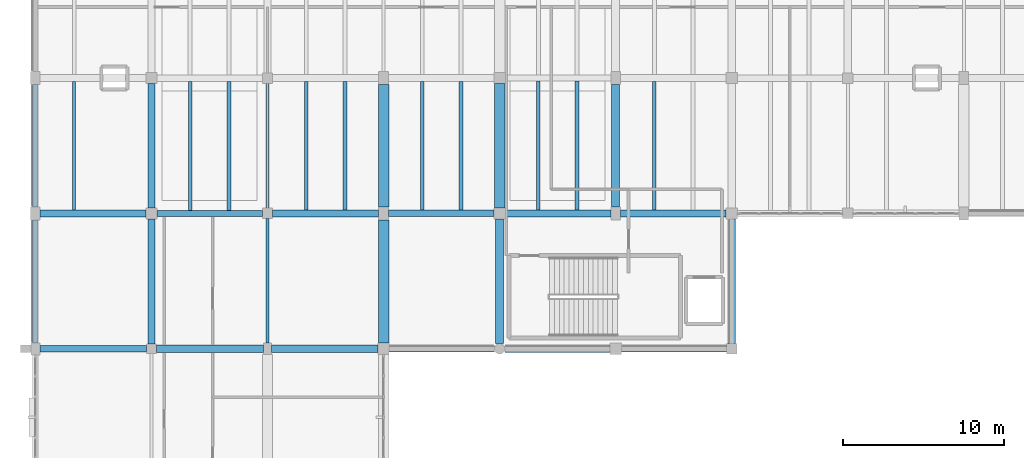
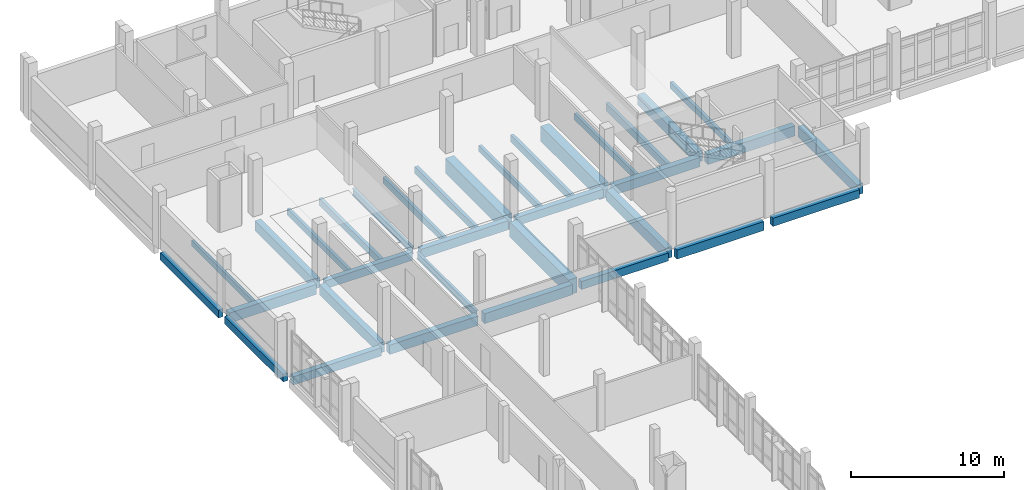
# One storey, part 24 of 57: 34 beams.
"""IFC4 building model written with IfcOpenShell, lengths in metres."""

from ifc_helpers import new_model, si_unit, direction, frame, origin, origin_2d, place, context, subcontext, project, spatial, rectangle, i_section, extrude, material, material_profile, profile_set, type_object, element, save


model = new_model("IFC4")

# Units and contexts
model_context = context("Model", 3, precision=1e-05, world=origin(), true_north=direction((0.0, 1.0)))
body_context = subcontext(model_context, "Body", "Model", "MODEL_VIEW")
ifc_project = project(units=[si_unit("LENGTHUNIT", "METRE"), si_unit("AREAUNIT", "SQUARE_METRE"), si_unit("VOLUMEUNIT", "CUBIC_METRE"), si_unit("PLANEANGLEUNIT", "RADIAN"), si_unit("MASSUNIT", "GRAM", prefix="KILO")], contexts=[model_context])

# Site, building, storey
site_placement = place(None, origin())
site = spatial("IfcSite", under=ifc_project, at=site_placement, CompositionType="ELEMENT")
building_placement = place(site_placement, origin())
building = spatial("IfcBuilding", under=site, at=building_placement, Name="Kalluvel Institute of Natural Sciences", CompositionType="ELEMENT")
storey_placement = place(building_placement, frame((0.0, 0.0, 23.39990234375)))
storey = spatial("IfcBuildingStorey", under=building, at=storey_placement, Name="L05", CompositionType="ELEMENT", Elevation=23.39990234375)

# Beams
ifc_material_1 = material(Name="Steel E350 Grade 350", Category="steel")
ifc_material_profile_1 = material_profile(ifc_material_1, i_section(OverallWidth=0.18994140625, OverallDepth=0.550048828125, WebThickness=0.01123046875, FlangeThickness=0.019287109375, FilletRadius=0.01806640625, at=origin_2d()), Name="ISMB 550")
ifc_profile_set_1 = profile_set([ifc_material_profile_1], Name="Steel E350 Grade 350")
beam_type_1 = type_object("IfcBeamType", Name="BM-ISMB550", PredefinedType="BEAM", material=ifc_profile_set_1)
beam_1_placement = place(storey_placement, frame((28.39990234375, 94.75, -0.574951171875), z_axis=(0.0, 1.0, 0.0), x_axis=(-1.0, 0.0, 0.0)))
element("IfcBeam", 1, at=beam_1_placement, inside=storey, type_object=beam_type_1, Name="L05 girder GIR-L05-NS-X284-Y944", PredefinedType="BEAM", context=body_context, shape_type="SweptSolid", body=[
    extrude(i_section(OverallWidth=0.18994140625, OverallDepth=0.550048828125, WebThickness=0.01123046875, FlangeThickness=0.019287109375, FilletRadius=0.01806640625, at=origin_2d()), origin(), (0.0, 0.0, 1.0), 7.72509765625),
])
beam_2_placement = place(storey_placement, frame((28.39990234375, 103.125, -0.594970703125), z_axis=(0.0, 1.0, 0.0), x_axis=(-1.0, 0.0, 0.0)))
element("IfcBeam", 2, at=beam_2_placement, inside=storey, type_object=beam_type_1, Name="L05 girder GIR-L05-NS-X284-Y1028", PredefinedType="BEAM", context=body_context, shape_type="SweptSolid", body=[
    extrude(i_section(OverallWidth=0.18994140625, OverallDepth=0.550048828125, WebThickness=0.01123046875, FlangeThickness=0.019287109375, FilletRadius=0.01806640625, at=origin_2d()), origin(), (0.0, 0.0, 1.0), 7.75),
])
ifc_material_2 = material(Name="Concrete M40", Category="concrete")
ifc_material_profile_2 = material_profile(ifc_material_2, rectangle(XDim=0.3798828125, YDim=0.639892578125, at=origin_2d()), Name="RCB 380x640")
ifc_profile_set_2 = profile_set([ifc_material_profile_2], Name="Concrete M40")
beam_type_2 = type_object("IfcBeamType", Name="BM-RC380x640", PredefinedType="BEAM", material=ifc_profile_set_2)
beam_3_placement = place(storey_placement, frame((35.949951171875, 94.39990234375, -0.639892578125), z_axis=(1.0, 0.0, 0.0), x_axis=(0.0, 1.0, 0.0)))
element("IfcBeam", 3, at=beam_3_placement, inside=storey, type_object=beam_type_2, Name="L05 girder GIR-L05-EW-X356-Y944", PredefinedType="BEAM", context=body_context, shape_type="SweptSolid", body=[
    extrude(rectangle(XDim=0.3798828125, YDim=0.639892578125, at=origin_2d()), origin(), (0.0, 0.0, 1.0), 6.525146484375),
])
beam_4_placement = place(storey_placement, frame((21.550048828125, 102.800048828125, -0.639892578125), z_axis=(1.0, 0.0, 0.0), x_axis=(0.0, 1.0, 0.0)))
element("IfcBeam", 4, at=beam_4_placement, inside=storey, type_object=beam_type_2, Name="L05 girder GIR-L05-EW-X212-Y1028", PredefinedType="BEAM", context=body_context, shape_type="SweptSolid", body=[
    extrude(rectangle(XDim=0.3798828125, YDim=0.639892578125, at=origin_2d()), origin(), (0.0, 0.0, 1.0), 6.52490234375),
])
ifc_material_profile_3 = material_profile(ifc_material_2, rectangle(XDim=0.39990234375, YDim=0.64990234375, at=origin_2d()), Name="RCB 400x650")
ifc_profile_set_3 = profile_set([ifc_material_profile_3], Name="Concrete M40")
beam_type_3 = type_object("IfcBeamType", Name="BM-RC400x650", PredefinedType="BEAM", material=ifc_profile_set_3)
beam_5_placement = place(storey_placement, frame((14.27490234375, 94.39990234375, -0.625), z_axis=(1.0, 0.0, 0.0), x_axis=(0.0, 1.0, 0.0)))
element("IfcBeam", 5, at=beam_5_placement, inside=storey, type_object=beam_type_3, Name="L05 girder GIR-L05-EW-X140-Y944", PredefinedType="BEAM", context=body_context, shape_type="SweptSolid", body=[
    extrude(rectangle(XDim=0.39990234375, YDim=0.64990234375, at=origin_2d()), origin(), (0.0, 0.0, 1.0), 6.625),
])
beam_6_placement = place(storey_placement, frame((50.35009765625, 94.39990234375, -0.64501953125), z_axis=(1.0, 0.0, 0.0), x_axis=(0.0, 1.0, 0.0)))
element("IfcBeam", 6, at=beam_6_placement, inside=storey, type_object=beam_type_3, Name="L05 girder GIR-L05-EW-X500-Y944", PredefinedType="BEAM", context=body_context, shape_type="SweptSolid", body=[
    extrude(rectangle(XDim=0.39990234375, YDim=0.64990234375, at=origin_2d()), origin(), (0.0, 0.0, 1.0), 6.52490234375),
])
beam_7_placement = place(storey_placement, frame((35.89990234375, 102.800048828125, -0.64501953125), z_axis=(1.0, 0.0, 0.0), x_axis=(0.0, 1.0, 0.0)))
element("IfcBeam", 7, at=beam_7_placement, inside=storey, type_object=beam_type_3, Name="L05 girder GIR-L05-EW-X356-Y1028", PredefinedType="BEAM", context=body_context, shape_type="SweptSolid", body=[
    extrude(rectangle(XDim=0.39990234375, YDim=0.64990234375, at=origin_2d()), origin(), (0.0, 0.0, 1.0), 6.550048828125),
])
ifc_material_profile_4 = material_profile(ifc_material_2, rectangle(XDim=0.419921875, YDim=0.719970703125, at=origin_2d()), Name="RCB 420x720")
ifc_profile_set_4 = profile_set([ifc_material_profile_4], Name="Concrete M40")
beam_type_4 = type_object("IfcBeamType", Name="BM-RC420x720", PredefinedType="BEAM", material=ifc_profile_set_4)
beam_8_placement = place(storey_placement, frame((43.125, 94.39990234375, -0.679931640625), z_axis=(1.0, 0.0, 0.0), x_axis=(0.0, 1.0, 0.0)))
element("IfcBeam", 8, at=beam_8_placement, inside=storey, type_object=beam_type_4, Name="L05 girder GIR-L05-EW-X428-Y944", PredefinedType="BEAM", context=body_context, shape_type="SweptSolid", body=[
    extrude(rectangle(XDim=0.419921875, YDim=0.719970703125, at=origin_2d()), origin(), (0.0, 0.0, 1.0), 6.52490234375),
])
beam_9_placement = place(storey_placement, frame((28.72509765625, 102.800048828125, -0.679931640625), z_axis=(1.0, 0.0, 0.0), x_axis=(0.0, 1.0, 0.0)))
element("IfcBeam", 9, at=beam_9_placement, inside=storey, type_object=beam_type_4, Name="L05 girder GIR-L05-EW-X284-Y1028", PredefinedType="BEAM", context=body_context, shape_type="SweptSolid", body=[
    extrude(rectangle(XDim=0.419921875, YDim=0.719970703125, at=origin_2d()), origin(), (0.0, 0.0, 1.0), 6.574951171875),
])
ifc_material_profile_5 = material_profile(ifc_material_2, rectangle(XDim=0.449951171875, YDim=0.75, at=origin_2d()), Name="RCB 450x750")
ifc_profile_set_5 = profile_set([ifc_material_profile_5], Name="Concrete M40")
beam_type_5 = type_object("IfcBeamType", Name="BM-RC450x750", PredefinedType="BEAM", material=ifc_profile_set_5)
beam_10_placement = place(storey_placement, frame((21.5, 94.39990234375, -0.6748046875), z_axis=(1.0, 0.0, 0.0), x_axis=(0.0, 1.0, 0.0)))
element("IfcBeam", 10, at=beam_10_placement, inside=storey, type_object=beam_type_5, Name="L05 girder GIR-L05-EW-X212-Y944", PredefinedType="BEAM", context=body_context, shape_type="SweptSolid", body=[
    extrude(rectangle(XDim=0.449951171875, YDim=0.75, at=origin_2d()), origin(), (0.0, 0.0, 1.0), 6.64990234375),
])
beam_11_placement = place(storey_placement, frame((43.14990234375, 102.800048828125, -0.69482421875), z_axis=(1.0, 0.0, 0.0), x_axis=(0.0, 1.0, 0.0)))
element("IfcBeam", 11, at=beam_11_placement, inside=storey, type_object=beam_type_5, Name="L05 girder GIR-L05-EW-X428-Y1028", PredefinedType="BEAM", context=body_context, shape_type="SweptSolid", body=[
    extrude(rectangle(XDim=0.449951171875, YDim=0.75, at=origin_2d()), origin(), (0.0, 0.0, 1.0), 6.550048828125),
])
ifc_material_profile_6 = material_profile(ifc_material_2, rectangle(XDim=0.449951171875, YDim=0.800048828125, at=origin_2d()), Name="RCB 450x800")
ifc_profile_set_6 = profile_set([ifc_material_profile_6], Name="Concrete M40")
beam_type_6 = type_object("IfcBeamType", Name="BM-RC450x800", PredefinedType="BEAM", material=ifc_profile_set_6)
beam_12_placement = place(storey_placement, frame((28.64990234375, 94.39990234375, -0.699951171875), z_axis=(1.0, 0.0, 0.0), x_axis=(0.0, 1.0, 0.0)))
element("IfcBeam", 12, at=beam_12_placement, inside=storey, type_object=beam_type_6, Name="L05 girder GIR-L05-EW-X284-Y944", PredefinedType="BEAM", context=body_context, shape_type="SweptSolid", body=[
    extrude(rectangle(XDim=0.449951171875, YDim=0.800048828125, at=origin_2d()), origin(), (0.0, 0.0, 1.0), 6.60009765625),
])
for number, where, z_axis, x_axis, name in (
    (13, (14.300048828125, 102.800048828125, -0.719970703125), (1.0, 0.0, 0.0), (0.0, 1.0, 0.0), "L05 girder GIR-L05-EW-X140-Y1028"),
    (14, (50.300048828125, 102.800048828125, -0.719970703125), (1.0, 0.0, 0.0), (0.0, 1.0, 0.0), "L05 girder GIR-L05-EW-X500-Y1028"),
):
    element("IfcBeam", number, at=place(storey_placement, frame(where, z_axis=z_axis, x_axis=x_axis)), inside=storey, type_object=beam_type_6, Name=name, PredefinedType="BEAM", context=body_context, shape_type="SweptSolid", body=[
        extrude(rectangle(XDim=0.449951171875, YDim=0.800048828125, at=origin_2d()), origin(), (0.0, 0.0, 1.0), 6.550048828125),
    ])
beam_13_placement = place(storey_placement, frame((21.199951171875, 94.699951171875, -0.699951171875), z_axis=(0.0, 1.0, 0.0), x_axis=(-1.0, 0.0, 0.0)))
element("IfcBeam", 15, at=beam_13_placement, inside=storey, type_object=beam_type_6, Name="L05 girder GIR-L05-NS-X212-Y944", PredefinedType="BEAM", context=body_context, shape_type="SweptSolid", body=[
    extrude(rectangle(XDim=0.449951171875, YDim=0.800048828125, at=origin_2d()), origin(), (0.0, 0.0, 1.0), 7.75),
])
beam_14_placement = place(storey_placement, frame((21.199951171875, 103.14990234375, -0.719970703125), z_axis=(0.0, 1.0, 0.0), x_axis=(-1.0, 0.0, 0.0)))
element("IfcBeam", 16, at=beam_14_placement, inside=storey, type_object=beam_type_6, Name="L05 girder GIR-L05-NS-X212-Y1028", PredefinedType="BEAM", context=body_context, shape_type="SweptSolid", body=[
    extrude(rectangle(XDim=0.449951171875, YDim=0.800048828125, at=origin_2d()), origin(), (0.0, 0.0, 1.0), 7.7001953125),
])
beam_15_placement = place(storey_placement, frame((57.199951171875, 94.72509765625, -0.719970703125), z_axis=(0.0, 1.0, 0.0), x_axis=(-1.0, 0.0, 0.0)))
element("IfcBeam", 17, at=beam_15_placement, inside=storey, type_object=beam_type_6, Name="L05 girder GIR-L05-NS-X572-Y944", PredefinedType="BEAM", context=body_context, shape_type="SweptSolid", body=[
    extrude(rectangle(XDim=0.449951171875, YDim=0.800048828125, at=origin_2d()), origin(), (0.0, 0.0, 1.0), 7.724853515625),
])
ifc_material_3 = material(Name="Concrete M50", Category="concrete")
ifc_material_profile_7 = material_profile(ifc_material_3, rectangle(XDim=0.5, YDim=0.85009765625, at=origin_2d()), Name="RCB 500x850")
ifc_profile_set_7 = profile_set([ifc_material_profile_7], Name="Concrete M50")
beam_type_7 = type_object("IfcBeamType", Name="BM-RC500x850", PredefinedType="BEAM", material=ifc_profile_set_7)
beam_16_placement = place(storey_placement, frame((42.800048828125, 94.72509765625, -0.744873046875), z_axis=(0.0, 1.0, 0.0), x_axis=(-1.0, 0.0, 0.0)))
element("IfcBeam", 18, at=beam_16_placement, inside=storey, type_object=beam_type_7, Name="L05 girder GIR-L05-NS-X428-Y944", PredefinedType="BEAM", context=body_context, shape_type="SweptSolid", body=[
    extrude(rectangle(XDim=0.5, YDim=0.85009765625, at=origin_2d()), origin(), (0.0, 0.0, 1.0), 7.724853515625),
])
beam_17_placement = place(storey_placement, frame((50.0, 103.199951171875, -0.744873046875), z_axis=(0.0, 1.0, 0.0), x_axis=(-1.0, 0.0, 0.0)))
element("IfcBeam", 19, at=beam_17_placement, inside=storey, type_object=beam_type_7, Name="L05 girder GIR-L05-NS-X500-Y1028", PredefinedType="BEAM", context=body_context, shape_type="SweptSolid", body=[
    extrude(rectangle(XDim=0.5, YDim=0.85009765625, at=origin_2d()), origin(), (0.0, 0.0, 1.0), 7.60009765625),
])
ifc_material_profile_8 = material_profile(ifc_material_3, rectangle(XDim=0.64990234375, YDim=1.199951171875, at=origin_2d()), Name="RCB 650x1200")
ifc_profile_set_8 = profile_set([ifc_material_profile_8], Name="Concrete M50")
beam_type_8 = type_object("IfcBeamType", Name="BM-RC650x1200", PredefinedType="BEAM", material=ifc_profile_set_8)
beam_18_placement = place(storey_placement, frame((35.60009765625, 94.75, -0.89990234375), z_axis=(0.0, 1.0, 0.0), x_axis=(-1.0, 0.0, 0.0)))
element("IfcBeam", 20, at=beam_18_placement, inside=storey, type_object=beam_type_8, Name="L05 girder GIR-L05-NS-X356-Y944", PredefinedType="BEAM", context=body_context, shape_type="SweptSolid", body=[
    extrude(rectangle(XDim=0.64990234375, YDim=1.199951171875, at=origin_2d()), origin(), (0.0, 0.0, 1.0), 7.64990234375),
])
beam_19_placement = place(storey_placement, frame((35.60009765625, 103.199951171875, -0.919921875), z_axis=(0.0, 1.0, 0.0), x_axis=(-1.0, 0.0, 0.0)))
element("IfcBeam", 21, at=beam_19_placement, inside=storey, type_object=beam_type_8, Name="L05 girder GIR-L05-NS-X356-Y1028", PredefinedType="BEAM", context=body_context, shape_type="SweptSolid", body=[
    extrude(rectangle(XDim=0.64990234375, YDim=1.199951171875, at=origin_2d()), origin(), (0.0, 0.0, 1.0), 7.60009765625),
])
beam_20_placement = place(storey_placement, frame((42.800048828125, 103.14990234375, -0.919921875), z_axis=(0.0, 1.0, 0.0), x_axis=(-1.0, 0.0, 0.0)))
element("IfcBeam", 22, at=beam_20_placement, inside=storey, type_object=beam_type_8, Name="L05 girder GIR-L05-NS-X428-Y1028", PredefinedType="BEAM", context=body_context, shape_type="SweptSolid", body=[
    extrude(rectangle(XDim=0.64990234375, YDim=1.199951171875, at=origin_2d()), origin(), (0.0, 0.0, 1.0), 7.7001953125),
])
ifc_material_profile_9 = material_profile(ifc_material_2, rectangle(XDim=0.35009765625, YDim=0.60009765625, at=origin_2d()), Name="RCB 350x600")
ifc_profile_set_9 = profile_set([ifc_material_profile_9], Name="Concrete M40")
beam_type_9 = type_object("IfcBeamType", Name="SP-RC350x600", PredefinedType="SPANDREL", material=ifc_profile_set_9)
beam_21_placement = place(storey_placement, frame((14.0, 94.77490234375, -0.599853515625), z_axis=(0.0, 1.0, 0.0), x_axis=(-1.0, 0.0, 0.0)))
element("IfcBeam", 23, at=beam_21_placement, inside=storey, type_object=beam_type_9, Name="L05 girder GIR-L05-NS-X140-Y944", PredefinedType="SPANDREL", context=body_context, shape_type="SweptSolid", body=[
    extrude(rectangle(XDim=0.35009765625, YDim=0.60009765625, at=origin_2d()), origin(), (0.0, 0.0, 1.0), 7.625),
])
beam_22_placement = place(storey_placement, frame((14.0, 103.199951171875, -0.619873046875), z_axis=(0.0, 1.0, 0.0), x_axis=(-1.0, 0.0, 0.0)))
element("IfcBeam", 24, at=beam_22_placement, inside=storey, type_object=beam_type_9, Name="L05 girder GIR-L05-NS-X140-Y1028", PredefinedType="SPANDREL", context=body_context, shape_type="SweptSolid", body=[
    extrude(rectangle(XDim=0.35009765625, YDim=0.60009765625, at=origin_2d()), origin(), (0.0, 0.0, 1.0), 7.60009765625),
])
ifc_material_profile_10 = material_profile(ifc_material_2, rectangle(XDim=0.199951171875, YDim=0.4599609375, at=origin_2d()), Name="WAF 200x460")
ifc_profile_set_10 = profile_set([ifc_material_profile_10], Name="Concrete M40")
beam_type_10 = type_object("IfcBeamType", Name="WJ-200x460", PredefinedType="JOIST", material=ifc_profile_set_10)
beam_23_placement = place(storey_placement, frame((16.39990234375, 103.02490234375, -0.5498046875), z_axis=(0.0, 1.0, 0.0), x_axis=(-1.0, 0.0, 0.0)))
element("IfcBeam", 25, at=beam_23_placement, inside=storey, type_object=beam_type_10, Name="L05 waffle joist RIB-L05-0368", PredefinedType="JOIST", context=body_context, shape_type="SweptSolid", body=[
    extrude(rectangle(XDim=0.199951171875, YDim=0.4599609375, at=origin_2d()), origin(), (0.0, 0.0, 1.0), 7.965087890625),
])
ifc_material_profile_11 = material_profile(ifc_material_2, rectangle(XDim=0.219970703125, YDim=0.5, at=origin_2d()), Name="WAF 220x500")
ifc_profile_set_11 = profile_set([ifc_material_profile_11], Name="Concrete M40")
beam_type_11 = type_object("IfcBeamType", Name="WJ-220x500", PredefinedType="JOIST", material=ifc_profile_set_11)
beam_24_placement = place(storey_placement, frame((23.60009765625, 102.989990234375, -0.56982421875), z_axis=(0.0, 1.0, 0.0), x_axis=(-1.0, 0.0, 0.0)))
element("IfcBeam", 26, at=beam_24_placement, inside=storey, type_object=beam_type_11, Name="L05 waffle joist RIB-L05-0372", PredefinedType="JOIST", context=body_context, shape_type="SweptSolid", body=[
    extrude(rectangle(XDim=0.219970703125, YDim=0.5, at=origin_2d()), origin(), (0.0, 0.0, 1.0), 8.010009765625),
])
beam_25_placement = place(storey_placement, frame((30.800048828125, 103.010009765625, -0.56982421875), z_axis=(0.0, 1.0, 0.0), x_axis=(-1.0, 0.0, 0.0)))
element("IfcBeam", 27, at=beam_25_placement, inside=storey, type_object=beam_type_11, Name="L05 waffle joist RIB-L05-0378", PredefinedType="JOIST", context=body_context, shape_type="SweptSolid", body=[
    extrude(rectangle(XDim=0.219970703125, YDim=0.5, at=origin_2d()), origin(), (0.0, 0.0, 1.0), 7.965087890625),
])
beam_26_placement = place(storey_placement, frame((38.0, 103.0, -0.56982421875), z_axis=(0.0, 1.0, 0.0), x_axis=(-1.0, 0.0, 0.0)))
element("IfcBeam", 28, at=beam_26_placement, inside=storey, type_object=beam_type_11, Name="L05 waffle joist RIB-L05-0383", PredefinedType="JOIST", context=body_context, shape_type="SweptSolid", body=[
    extrude(rectangle(XDim=0.219970703125, YDim=0.5, at=origin_2d()), origin(), (0.0, 0.0, 1.0), 7.97509765625),
])
beam_27_placement = place(storey_placement, frame((45.199951171875, 103.02490234375, -0.56982421875), z_axis=(0.0, 1.0, 0.0), x_axis=(-1.0, 0.0, 0.0)))
element("IfcBeam", 29, at=beam_27_placement, inside=storey, type_object=beam_type_11, Name="L05 waffle joist RIB-L05-0388", PredefinedType="JOIST", context=body_context, shape_type="SweptSolid", body=[
    extrude(rectangle(XDim=0.219970703125, YDim=0.5, at=origin_2d()), origin(), (0.0, 0.0, 1.0), 7.985107421875),
])
beam_28_placement = place(storey_placement, frame((52.39990234375, 103.02490234375, -0.56982421875), z_axis=(0.0, 1.0, 0.0), x_axis=(-1.0, 0.0, 0.0)))
element("IfcBeam", 30, at=beam_28_placement, inside=storey, type_object=beam_type_11, Name="L05 waffle joist RIB-L05-0394", PredefinedType="JOIST", context=body_context, shape_type="SweptSolid", body=[
    extrude(rectangle(XDim=0.219970703125, YDim=0.5, at=origin_2d()), origin(), (0.0, 0.0, 1.0), 7.965087890625),
])
ifc_material_profile_12 = material_profile(ifc_material_2, rectangle(XDim=0.25, YDim=0.550048828125, at=origin_2d()), Name="WAF 250x550")
ifc_profile_set_12 = profile_set([ifc_material_profile_12], Name="Concrete M40")
beam_type_12 = type_object("IfcBeamType", Name="WJ-250x550", PredefinedType="JOIST", material=ifc_profile_set_12)
beam_29_placement = place(storey_placement, frame((26.0, 102.989990234375, -0.594970703125), z_axis=(0.0, 1.0, 0.0), x_axis=(-1.0, 0.0, 0.0)))
element("IfcBeam", 31, at=beam_29_placement, inside=storey, type_object=beam_type_12, Name="L05 waffle joist RIB-L05-0373", PredefinedType="JOIST", context=body_context, shape_type="SweptSolid", body=[
    extrude(rectangle(XDim=0.25, YDim=0.550048828125, at=origin_2d()), origin(), (0.0, 0.0, 1.0), 8.010009765625),
])
beam_30_placement = place(storey_placement, frame((33.199951171875, 103.010009765625, -0.594970703125), z_axis=(0.0, 1.0, 0.0), x_axis=(-1.0, 0.0, 0.0)))
element("IfcBeam", 32, at=beam_30_placement, inside=storey, type_object=beam_type_12, Name="L05 waffle joist RIB-L05-0379", PredefinedType="JOIST", context=body_context, shape_type="SweptSolid", body=[
    extrude(rectangle(XDim=0.25, YDim=0.550048828125, at=origin_2d()), origin(), (0.0, 0.0, 1.0), 7.965087890625),
])
beam_31_placement = place(storey_placement, frame((40.39990234375, 103.0, -0.594970703125), z_axis=(0.0, 1.0, 0.0), x_axis=(-1.0, 0.0, 0.0)))
element("IfcBeam", 33, at=beam_31_placement, inside=storey, type_object=beam_type_12, Name="L05 waffle joist RIB-L05-0384", PredefinedType="JOIST", context=body_context, shape_type="SweptSolid", body=[
    extrude(rectangle(XDim=0.25, YDim=0.550048828125, at=origin_2d()), origin(), (0.0, 0.0, 1.0), 7.97509765625),
])
ifc_material_profile_13 = material_profile(ifc_material_2, rectangle(XDim=0.25, YDim=0.60009765625, at=origin_2d()), Name="WAF 250x600")
ifc_profile_set_13 = profile_set([ifc_material_profile_13], Name="Concrete M40")
beam_type_13 = type_object("IfcBeamType", Name="WJ-250x600", PredefinedType="JOIST", material=ifc_profile_set_13)
beam_32_placement = place(storey_placement, frame((47.60009765625, 103.02490234375, -0.619873046875), z_axis=(0.0, 1.0, 0.0), x_axis=(-1.0, 0.0, 0.0)))
element("IfcBeam", 34, at=beam_32_placement, inside=storey, type_object=beam_type_13, Name="L05 waffle joist RIB-L05-0389", PredefinedType="JOIST", context=body_context, shape_type="SweptSolid", body=[
    extrude(rectangle(XDim=0.25, YDim=0.60009765625, at=origin_2d()), origin(), (0.0, 0.0, 1.0), 7.985107421875),
])

save(model, "model.ifc")
